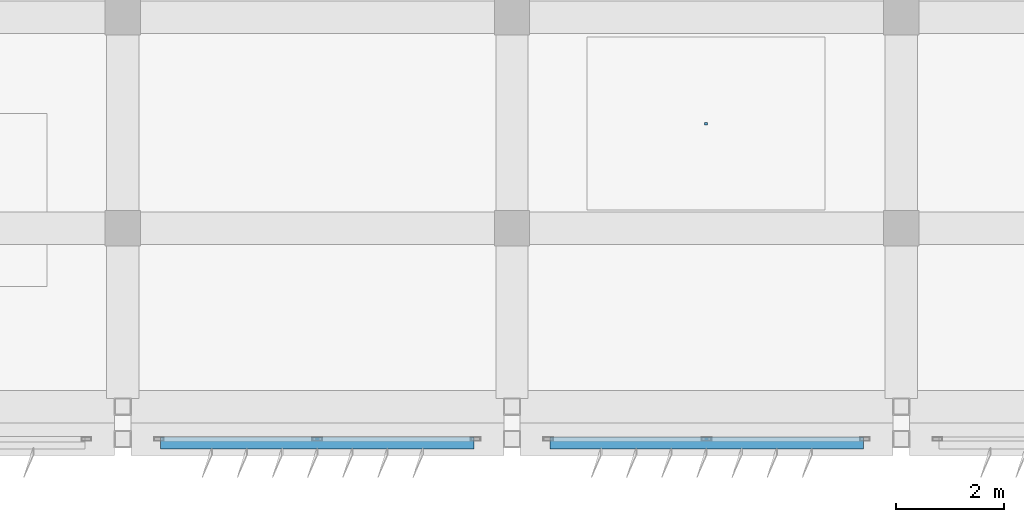
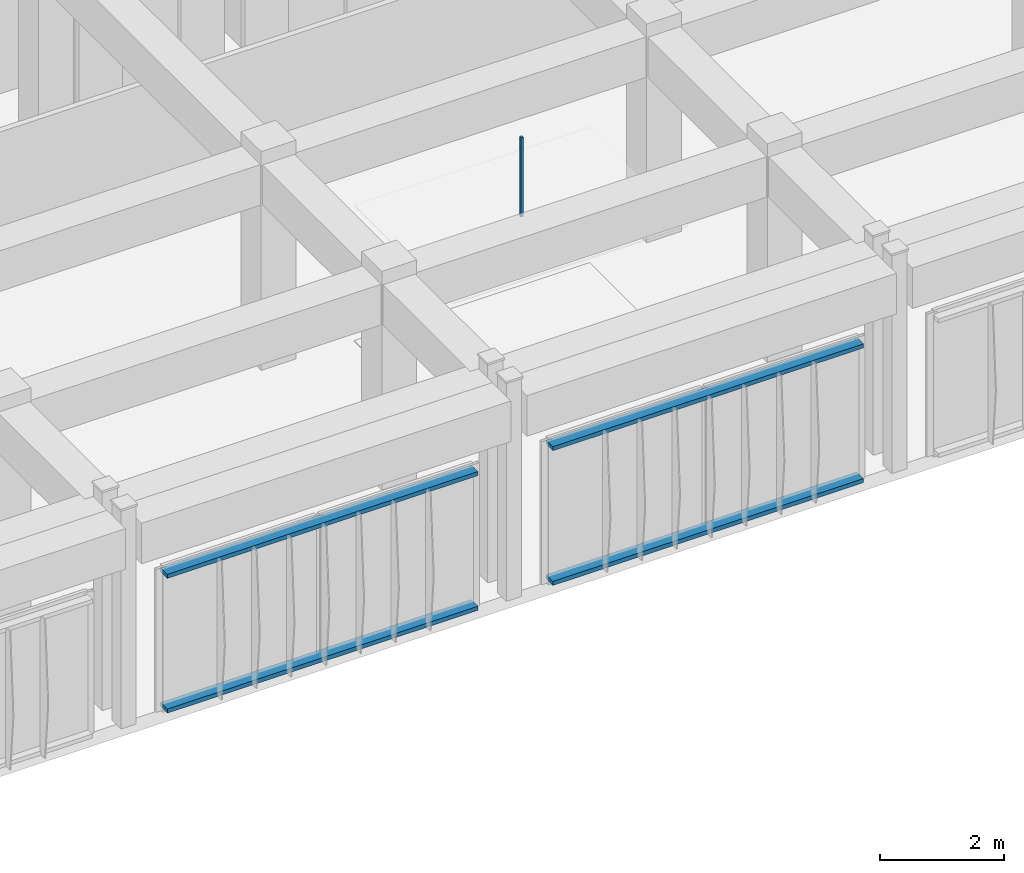
# One storey, part 32 of 42: 5 discrete accessories.
"""IFC4 building model written with IfcOpenShell, lengths in metres."""

from ifc_helpers import new_model, si_unit, direction, frame, origin, origin_2d, place, context, subcontext, project, spatial, rectangle, extrude, material, type_object, element, save


model = new_model("IFC4")

# Units and contexts
model_context = context("Model", 3, precision=1e-05, world=origin(), true_north=direction((0.0, 1.0)))
body_context = subcontext(model_context, "Body", "Model", "MODEL_VIEW")
ifc_project = project(units=[si_unit("LENGTHUNIT", "METRE"), si_unit("AREAUNIT", "SQUARE_METRE"), si_unit("VOLUMEUNIT", "CUBIC_METRE"), si_unit("PLANEANGLEUNIT", "RADIAN"), si_unit("MASSUNIT", "GRAM", prefix="KILO")], contexts=[model_context])

# Site, building, storey
site_placement = place(None, origin())
site = spatial("IfcSite", under=ifc_project, at=site_placement, CompositionType="ELEMENT")
building_placement = place(site_placement, origin())
building = spatial("IfcBuilding", under=site, at=building_placement, Name="Kazehaya Institute of Natural Sciences", CompositionType="ELEMENT")
storey_placement = place(building_placement, frame((0.0, 0.0, 37.6201171875)))
storey = spatial("IfcBuildingStorey", under=building, at=storey_placement, Name="L08", CompositionType="ELEMENT", Elevation=37.6201171875)

# Discrete accessories
ifc_material_1 = material(Name="Aluminium alloy A6063S-T5", Category="aluminium")
discrete_accessory_type_1 = type_object("IfcDiscreteAccessoryType", Name="ACC-BRK-01", PredefinedType="BRACKET", material=ifc_material_1)
for number, where, z_axis, x_axis, name in (
    (1, (79.800048828125, 6.125, 0.039794921875), (0.0, 0.0, 1.0), (-1.0, 0.0, 0.0), "L08 fin support outrigger rail 1"),
    (2, (79.800048828125, 6.125, 2.699951171875), (0.0, 0.0, 1.0), (-1.0, 0.0, 0.0), "L08 fin support outrigger rail 2"),
    (3, (72.60009765625, 6.125, 0.039794921875), (0.0, 0.0, 1.0), (-1.0, 0.0, 0.0), "L08 fin support outrigger rail 1"),
    (4, (72.60009765625, 6.125, 2.699951171875), (0.0, 0.0, 1.0), (-1.0, 0.0, 0.0), "L08 fin support outrigger rail 2"),
):
    element("IfcDiscreteAccessory", number, at=place(storey_placement, frame(where, z_axis=z_axis, x_axis=x_axis)), inside=storey, type_object=discrete_accessory_type_1, Name=name, PredefinedType="BRACKET", context=body_context, shape_type="SweptSolid", body=[
        extrude(rectangle(XDim=5.800048828125, YDim=0.219970703125, at=origin_2d()), origin(), (0.0, 0.0, 1.0), 0.080078125),
    ])
ifc_material_2 = material(Name="Structural steel SN490B", Category="steel")
discrete_accessory_type_2 = type_object("IfcDiscreteAccessoryType", Name="ACC-CLG-HGR", PredefinedType="BRACKET", material=ifc_material_2)
discrete_accessory_placement = place(storey_placement, frame((79.78759765625, 12.0341796875, 2.672607421875), z_axis=(0.0, 0.0, 1.0), x_axis=(1.0, 0.0, 0.0)))
element("IfcDiscreteAccessory", 5, at=discrete_accessory_placement, inside=storey, type_object=discrete_accessory_type_2, Name="L08 ceiling suspension hanger 70", PredefinedType="BRACKET", context=body_context, shape_type="SweptSolid", body=[
    extrude(rectangle(XDim=0.050048828125, YDim=0.050048828125, at=origin_2d()), origin(), (0.0, 0.0, 1.0), 1.5673828125),
])

save(model, "model.ifc")
